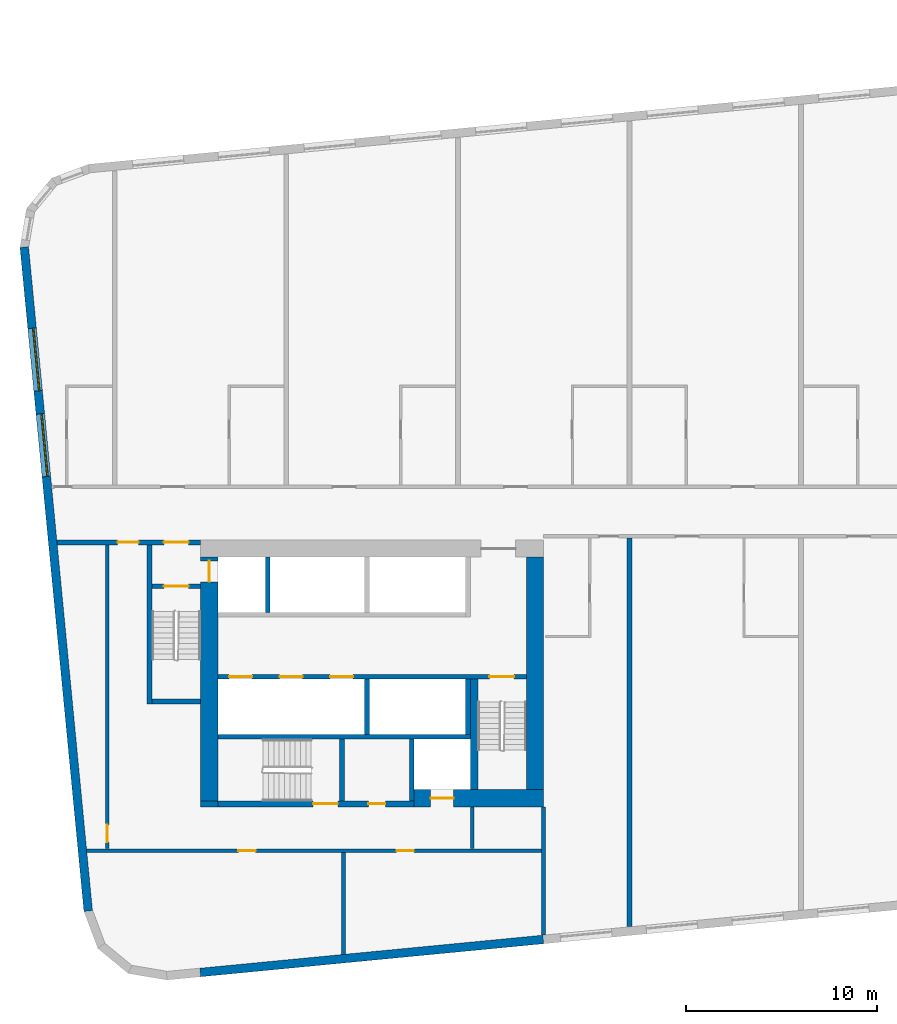
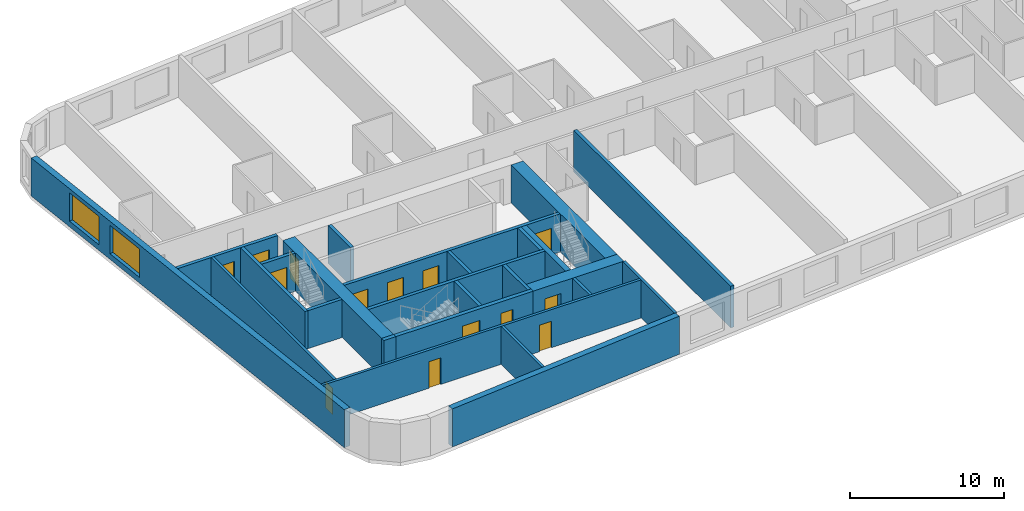
# One storey, part 2 of 12: 25 walls, 14 doors, 2 windows, 16 openings.
"""IFC4 building model written with IfcOpenShell, lengths in metres."""

from ifc_helpers import new_model, si_unit, direction, frame, frame_2d, origin, place, context, subcontext, project, spatial, rectangle, extrude, material, layer, layer_set, type_object, element, fill, save


model = new_model("IFC4")

# Units and contexts
model_context = context("Model", 3, precision=1e-05, world=origin(), true_north=direction((0.0, 1.0)))
body_context = subcontext(model_context, "Body", "Model", "MODEL_VIEW")
ifc_project = project(units=[si_unit("LENGTHUNIT", "METRE"), si_unit("AREAUNIT", "SQUARE_METRE"), si_unit("VOLUMEUNIT", "CUBIC_METRE"), si_unit("PLANEANGLEUNIT", "RADIAN"), si_unit("MASSUNIT", "GRAM", prefix="KILO")], contexts=[model_context])

# Site, building, storey
site_placement = place(None, origin())
site = spatial("IfcSite", under=ifc_project, at=site_placement, CompositionType="ELEMENT")
building_placement = place(site_placement, origin())
building = spatial("IfcBuilding", under=site, at=building_placement, Name="Kajstack Hotel Tower", CompositionType="ELEMENT")
storey_placement = place(building_placement, frame((0.0, 0.0, 143.800048828125)))
storey = spatial("IfcBuildingStorey", under=building, at=storey_placement, Name="L33", CompositionType="ELEMENT", Elevation=143.800048828125)

# Wall, opening, door
ifc_material_1 = material(Name="Concrete C60/75", Category="concrete")
ifc_layer_1 = layer(ifc_material_1, 0.89990234375)
ifc_layer_set_1 = layer_set([ifc_layer_1], Name="Core wall 900")
wall_type_1 = type_object("IfcWallType", Name="Core wall 900", PredefinedType="SHEAR", material=ifc_layer_set_1)
wall_1_placement = place(storey_placement, frame((-20.300048828125, -15.050048828125, 0.0), z_axis=(0.0, 0.0, 1.0), x_axis=(1.0, 0.0, 0.0)))
wall_1 = element("IfcWall", 1, at=wall_1_placement, inside=storey, type_object=wall_type_1, Name="Core wall W RS", PredefinedType="SHEAR", context=body_context, shape_type="SweptSolid", body=[
    extrude(rectangle(XDim=6.800048828125, YDim=0.89990234375, at=frame_2d((3.39990234375, 0.0))), origin(), (0.0, 0.0, 1.0), 3.02001953125),
])
opening_1_placement = place(wall_1_placement, frame((0.875, 0.0, 0.0)))
opening_1 = element("IfcOpeningElement", 2, at=opening_1_placement, cuts=wall_1, Name="Opening LD-SV1", PredefinedType="OPENING", context=body_context, shape_type="SweptSolid", body=[
    extrude(rectangle(XDim=1.199951171875, YDim=2.10009765625, at=frame_2d((0.60009765625, 1.050048828125))), frame((0.0, 0.4599609375, 0.0), z_axis=(0.0, -1.0, 0.0), x_axis=(1.0, 0.0, 0.0)), (0.0, 0.0, 1.0), 0.919921875),
])
ifc_material_2 = material(Name="Stainless steel", Category="steel")
door_type_1 = type_object("IfcDoorType", Name="Lift landing door 1200", OperationType="SLIDING_TO_LEFT", PredefinedType="DOOR", material=ifc_material_2)
door_1_placement = place(opening_1_placement, origin())
door_1 = element("IfcDoor", 3, at=door_1_placement, inside=storey, type_object=door_type_1, Name="Landing door SV1", OperationType="SLIDING_TO_LEFT", OverallHeight=2.10009765625, OverallWidth=1.199951171875, PredefinedType="DOOR", context=body_context, shape_type="SweptSolid", body=[
    extrude(rectangle(XDim=1.199951171875, YDim=2.10009765625, at=frame_2d((0.60009765625, 1.050048828125))), frame((0.0, 0.02490234375, 0.0), z_axis=(0.0, -1.0, 0.0), x_axis=(1.0, 0.0, 0.0)), (0.0, 0.0, 1.0), 0.050048828125),
])
fill(opening_1, door_1)

# Wall
wall_2_placement = place(storey_placement, frame((-31.5, -15.35009765625, 0.0), z_axis=(0.0, 0.0, 1.0), x_axis=(1.0, 0.0, 0.0)))
element("IfcWall", 4, at=wall_2_placement, inside=storey, type_object=wall_type_1, Name="Core wall W RSW", PredefinedType="SHEAR", context=body_context, shape_type="SweptSolid", body=[
    extrude(rectangle(XDim=0.89990234375, YDim=0.300048828125, at=frame_2d((0.449951171875, 0.0))), origin(), (0.0, 0.0, 1.0), 3.02001953125),
])

# Wall, opening, door
wall_3_placement = place(storey_placement, frame((-31.050048828125, -15.199951171875, 0.0), z_axis=(0.0, 0.0, 1.0), x_axis=(0.0, 1.0, 0.0)))
wall_3 = element("IfcWall", 5, at=wall_3_placement, inside=storey, type_object=wall_type_1, Name="Core wall W RW", PredefinedType="SHEAR", context=body_context, shape_type="SweptSolid", body=[
    extrude(rectangle(XDim=12.800048828125, YDim=0.89990234375, at=frame_2d((6.39990234375, 0.0))), origin(), (0.0, 0.0, 1.0), 3.02001953125),
])
opening_2_placement = place(wall_3_placement, frame((11.5, 0.0, 0.0)))
opening_2 = element("IfcOpeningElement", 6, at=opening_2_placement, cuts=wall_3, Name="Opening LD-FF1", PredefinedType="OPENING", context=body_context, shape_type="SweptSolid", body=[
    extrude(rectangle(XDim=1.10009765625, YDim=2.10009765625, at=frame_2d((0.550048828125, 1.050048828125))), frame((0.0, 0.4599609375, 0.0), z_axis=(0.0, -1.0, 0.0), x_axis=(1.0, 0.0, 0.0)), (0.0, 0.0, 1.0), 0.919921875),
])
door_type_2 = type_object("IfcDoorType", Name="Fire-fighting lift landing door 1100", OperationType="SLIDING_TO_LEFT", PredefinedType="DOOR", material=ifc_material_2)
door_2_placement = place(opening_2_placement, origin())
door_2 = element("IfcDoor", 7, at=door_2_placement, inside=storey, type_object=door_type_2, Name="Landing door FF1", OperationType="SLIDING_TO_RIGHT", OverallHeight=2.10009765625, OverallWidth=1.10009765625, PredefinedType="DOOR", context=body_context, shape_type="SweptSolid", body=[
    extrude(rectangle(XDim=1.10009765625, YDim=2.10009765625, at=frame_2d((0.550048828125, 1.050048828125))), frame((0.0, 0.02490234375, 0.0), z_axis=(0.0, -1.0, 0.0), x_axis=(1.0, 0.0, 0.0)), (0.0, 0.0, 1.0), 0.050048828125),
])
fill(opening_2, door_2)

# Walls
wall_4_placement = place(storey_placement, frame((-13.949951171875, -14.60009765625, 0.0), z_axis=(0.0, 0.0, 1.0), x_axis=(0.0, 1.0, 0.0)))
element("IfcWall", 8, at=wall_4_placement, inside=storey, type_object=wall_type_1, Name="Core wall W RE", PredefinedType="SHEAR", context=body_context, shape_type="SweptSolid", body=[
    extrude(rectangle(XDim=12.2001953125, YDim=0.89990234375, at=frame_2d((6.10009765625, 0.0))), origin(), (0.0, 0.0, 1.0), 3.02001953125),
])
ifc_material_3 = material(Name="Twin-frame gypsum board on steel studs, mineral wool", Category="steel")
ifc_layer_2 = layer(ifc_material_3, 0.199951171875)
ifc_layer_set_2 = layer_set([ifc_layer_2], Name="Demising wall 200")
wall_type_2 = type_object("IfcWallType", Name="Demising wall 200", PredefinedType="PARTITIONING", material=ifc_layer_set_2)
wall_5_placement = place(storey_placement, frame((-13.5, -22.23193359375, 0.0), z_axis=(0.0, 0.0, 1.0), x_axis=(0.0, 1.0, 0.0)))
element("IfcWall", 9, at=wall_5_placement, inside=storey, type_object=wall_type_2, Name="G-wall-L33-002", PredefinedType="PARTITIONING", context=body_context, shape_type="SweptSolid", body=[
    extrude(rectangle(XDim=6.73193359375, YDim=0.199951171875, at=frame_2d((3.365966796875, 0.0))), origin(), (0.0, 0.0, 1.0), 3.02001953125),
])
ifc_material_4 = material(Name="Concrete C40/50", Category="concrete")
ifc_layer_3 = layer(ifc_material_4, 0.449951171875)
ifc_layer_set_3 = layer_set([ifc_layer_3], Name="EW-CORE")
wall_type_3 = type_object("IfcWallType", Name="EW-CORE", PredefinedType="SOLIDWALL", material=ifc_layer_set_3)
wall_6_placement = place(storey_placement, frame((-31.521484375, -24.193603515625, 0.0), z_axis=(0.0, 0.0, 1.0), x_axis=(0.995396454615, 0.095843091245, 0.0)))
element("IfcWall", 10, at=wall_6_placement, inside=storey, type_object=wall_type_3, Name="E-wall-L33-04-01", PredefinedType="SOLIDWALL", context=body_context, shape_type="SweptSolid", body=[
    extrude(rectangle(XDim=18.083251953125, YDim=0.449951171875, at=frame_2d((9.04150390625, 0.0))), origin(), (0.0, 0.0, 1.0), 3.02001953125),
])

# Wall, openings, windows
ifc_material_5 = material(Name="Terracotta-faced brick masonry", Category="masonry")
ifc_layer_4 = layer(ifc_material_5, 0.449951171875)
ifc_layer_set_4 = layer_set([ifc_layer_4], Name="EW-TERRA")
wall_type_4 = type_object("IfcWallType", Name="EW-TERRA", PredefinedType="SOLIDWALL", material=ifc_layer_set_4)
wall_7_placement = place(storey_placement, frame((-40.7529296875, 13.87158203125, 0.0), z_axis=(0.0, 0.0, 1.0), x_axis=(0.095843327381, -0.995396431878, 0.0)))
wall_7 = element("IfcWall", 11, at=wall_7_placement, inside=storey, type_object=wall_type_4, Name="E-wall-L33-00-00", PredefinedType="SOLIDWALL", context=body_context, shape_type="SweptSolid", body=[
    extrude(rectangle(XDim=34.999755859375, YDim=0.449951171875, at=frame_2d((17.5, 0.0))), origin(), (0.0, 0.0, 1.0), 3.02001953125),
])
opening_3_placement = place(wall_7_placement, frame((4.27734375, 0.0, 0.449951171875)))
opening_3 = element("IfcOpeningElement", 12, at=opening_3_placement, cuts=wall_7, Name="Opening W2", PredefinedType="OPENING", context=body_context, shape_type="SweptSolid", body=[
    extrude(rectangle(XDim=3.300048828125, YDim=2.25, at=frame_2d((1.64990234375, 1.125))), frame((0.0, 0.23486328125, 0.0), z_axis=(0.0, -1.0, 0.0), x_axis=(1.0, 0.0, 0.0)), (0.0, 0.0, 1.0), 0.469970703125),
])
opening_4_placement = place(wall_7_placement, frame((8.798095703125, 0.0, 0.449951171875)))
opening_4 = element("IfcOpeningElement", 13, at=opening_4_placement, cuts=wall_7, Name="Opening W2", PredefinedType="OPENING", context=body_context, shape_type="SweptSolid", body=[
    extrude(rectangle(XDim=3.300048828125, YDim=2.25, at=frame_2d((1.64990234375, 1.125))), frame((0.0, 0.23486328125, 0.0), z_axis=(0.0, -1.0, 0.0), x_axis=(1.0, 0.0, 0.0)), (0.0, 0.0, 1.0), 0.469970703125),
])
ifc_material_6 = material(Name="Timber-aluminium window, triple glazed", Category="wood")
window_type = type_object("IfcWindowType", Name="WG2", PartitioningType="SINGLE_PANEL", PredefinedType="WINDOW", material=ifc_material_6)
window_1_placement = place(opening_3_placement, origin())
window_1 = element("IfcWindow", 14, at=window_1_placement, inside=storey, type_object=window_type, Name="Window W2 L33-00", OverallHeight=2.25, OverallWidth=3.300048828125, PartitioningType="SINGLE_PANEL", PredefinedType="WINDOW", context=body_context, shape_type="SweptSolid", body=[
    extrude(rectangle(XDim=3.300048828125, YDim=2.25, at=frame_2d((1.64990234375, 1.125))), frame((0.0, 0.090087890625, 0.0), z_axis=(0.0, -1.0, 0.0), x_axis=(1.0, 0.0, 0.0)), (0.0, 0.0, 1.0), 0.06005859375),
])
fill(opening_3, window_1)
window_2_placement = place(opening_4_placement, origin())
window_2 = element("IfcWindow", 15, at=window_2_placement, inside=storey, type_object=window_type, Name="Window W2 L33-00", OverallHeight=2.25, OverallWidth=3.300048828125, PartitioningType="SINGLE_PANEL", PredefinedType="WINDOW", context=body_context, shape_type="SweptSolid", body=[
    extrude(rectangle(XDim=3.300048828125, YDim=2.25, at=frame_2d((1.64990234375, 1.125))), frame((0.0, 0.090087890625, 0.0), z_axis=(0.0, -1.0, 0.0), x_axis=(1.0, 0.0, 0.0)), (0.0, 0.0, 1.0), 0.06005859375),
])
fill(opening_4, window_2)

# Walls
ifc_material_7 = material(Name="Concrete C50/60", Category="concrete")
ifc_layer_5 = layer(ifc_material_7, 0.300048828125)
ifc_layer_set_5 = layer_set([ifc_layer_5], Name="Hoistway divider wall 300")
wall_type_5 = type_object("IfcWallType", Name="Hoistway divider wall 300", PredefinedType="SHEAR", material=ifc_layer_set_5)
wall_8_placement = place(storey_placement, frame((-22.77490234375, -11.699951171875, 0.0), z_axis=(0.0, 0.0, 1.0), x_axis=(0.0, 1.0, 0.0)))
element("IfcWall", 16, at=wall_8_placement, inside=storey, type_object=wall_type_5, Name="Core wall W BP2", PredefinedType="SHEAR", context=body_context, shape_type="SweptSolid", body=[
    extrude(rectangle(XDim=2.89990234375, YDim=0.25, at=frame_2d((1.449951171875, 0.0))), origin(), (0.0, 0.0, 1.0), 3.02001953125),
])
ifc_material_8 = material(Name="Concrete C55/67", Category="concrete")
ifc_layer_6 = layer(ifc_material_8, 0.25)
ifc_layer_set_6 = layer_set([ifc_layer_6], Name="RC cross wall 250 C55/67")
wall_type_6 = type_object("IfcWallType", Name="RC cross wall 250 C55/67", PredefinedType="SHEAR", material=ifc_layer_set_6)
wall_9_placement = place(storey_placement, frame((-9.0, -21.777099609375, 0.0), z_axis=(0.0, 0.0, 1.0), x_axis=(0.0, 1.0, 0.0)))
element("IfcWall", 17, at=wall_9_placement, inside=storey, type_object=wall_type_6, Name="S-wall-L33-04", PredefinedType="SHEAR", context=body_context, shape_type="SweptSolid", body=[
    extrude(rectangle(XDim=20.377197265625, YDim=0.25, at=frame_2d((10.1884765625, 0.0))), origin(), (0.0, 0.0, 1.0), 3.300048828125),
])

# Wall, openings, doors
ifc_material_9 = material(Name="Gypsum board on steel studs, mineral wool", Category="steel")
ifc_layer_7 = layer(ifc_material_9, 0.199951171875)
ifc_layer_set_7 = layer_set([ifc_layer_7], Name="Service partition 200")
wall_type_7 = type_object("IfcWallType", Name="Service partition 200", PredefinedType="PARTITIONING", material=ifc_layer_set_7)
wall_10_placement = place(storey_placement, frame((-39.034912109375, -1.625, 0.0), z_axis=(0.0, 0.0, 1.0), x_axis=(1.0, 0.0, 0.0)))
wall_10 = element("IfcWall", 18, at=wall_10_placement, inside=storey, type_object=wall_type_7, Name="Partition W SN", PredefinedType="PARTITIONING", context=body_context, shape_type="SweptSolid", body=[
    extrude(rectangle(XDim=7.534912109375, YDim=0.25, at=frame_2d((3.767578125, 0.0))), origin(), (0.0, 0.0, 1.0), 3.02001953125),
])
opening_5_placement = place(wall_10_placement, frame((5.60986328125, 0.0, 0.0)))
opening_5 = element("IfcOpeningElement", 19, at=opening_5_placement, cuts=wall_10, Name="Opening 33W07", PredefinedType="OPENING", context=body_context, shape_type="SweptSolid", body=[
    extrude(rectangle(XDim=1.300048828125, YDim=2.10009765625, at=frame_2d((0.64990234375, 1.050048828125))), frame((0.0, 0.135009765625, 0.0), z_axis=(0.0, -1.0, 0.0), x_axis=(1.0, 0.0, 0.0)), (0.0, 0.0, 1.0), 0.27001953125),
])
opening_6_placement = place(wall_10_placement, frame((3.184814453125, 0.0, 0.0)))
opening_6 = element("IfcOpeningElement", 20, at=opening_6_placement, cuts=wall_10, Name="Opening 33W09", PredefinedType="OPENING", context=body_context, shape_type="SweptSolid", body=[
    extrude(rectangle(XDim=1.10009765625, YDim=2.10009765625, at=frame_2d((0.550048828125, 1.050048828125))), frame((0.0, 0.135009765625, 0.0), z_axis=(0.0, -1.0, 0.0), x_axis=(1.0, 0.0, 0.0)), (0.0, 0.0, 1.0), 0.27001953125),
])
ifc_material_10 = material(Name="Steel leaf, fire-rated", Category="steel")
door_type_3 = type_object("IfcDoorType", Name="Fire lobby door 1300", OperationType="SINGLE_SWING_LEFT", PredefinedType="DOOR", material=ifc_material_10)
door_3_placement = place(opening_5_placement, origin())
door_3 = element("IfcDoor", 21, at=door_3_placement, inside=storey, type_object=door_type_3, Name="Door 33W07", OperationType="SINGLE_SWING_RIGHT", OverallHeight=2.10009765625, OverallWidth=1.300048828125, PredefinedType="DOOR", context=body_context, shape_type="SweptSolid", body=[
    extrude(rectangle(XDim=1.300048828125, YDim=2.10009765625, at=frame_2d((0.64990234375, 1.050048828125))), frame((0.0, 0.02490234375, 0.0), z_axis=(0.0, -1.0, 0.0), x_axis=(1.0, 0.0, 0.0)), (0.0, 0.0, 1.0), 0.050048828125),
])
fill(opening_5, door_3)
ifc_material_11 = material(Name="Timber leaf, fire-rated", Category="wood")
door_type_4 = type_object("IfcDoorType", Name="Service corridor door 1100", OperationType="SINGLE_SWING_LEFT", PredefinedType="DOOR", material=ifc_material_11)
door_4_placement = place(opening_6_placement, origin())
door_4 = element("IfcDoor", 22, at=door_4_placement, inside=storey, type_object=door_type_4, Name="Door 33W09", OperationType="SINGLE_SWING_RIGHT", OverallHeight=2.10009765625, OverallWidth=1.10009765625, PredefinedType="DOOR", context=body_context, shape_type="SweptSolid", body=[
    extrude(rectangle(XDim=1.10009765625, YDim=2.10009765625, at=frame_2d((0.550048828125, 1.050048828125))), frame((0.0, 0.02490234375, 0.0), z_axis=(0.0, -1.0, 0.0), x_axis=(1.0, 0.0, 0.0)), (0.0, 0.0, 1.0), 0.050048828125),
])
fill(opening_6, door_4)

# Wall
wall_11_placement = place(storey_placement, frame((-17.25, -17.699951171875, 0.0), z_axis=(0.0, 0.0, 1.0), x_axis=(0.0, 1.0, 0.0)))
element("IfcWall", 23, at=wall_11_placement, inside=storey, type_object=wall_type_7, Name="Partition W SCE", PredefinedType="PARTITIONING", context=body_context, shape_type="SweptSolid", body=[
    extrude(rectangle(XDim=2.199951171875, YDim=0.199951171875, at=frame_2d((1.10009765625, 0.0))), origin(), (0.0, 0.0, 1.0), 3.02001953125),
])

# Wall, opening, door
wall_12_placement = place(storey_placement, frame((-36.39990234375, -17.699951171875, 0.0), z_axis=(0.0, 0.0, 1.0), x_axis=(0.0, 1.0, 0.0)))
wall_12 = element("IfcWall", 24, at=wall_12_placement, inside=storey, type_object=wall_type_7, Name="Partition W WRE", PredefinedType="PARTITIONING", context=body_context, shape_type="SweptSolid", body=[
    extrude(rectangle(XDim=15.949951171875, YDim=0.199951171875, at=frame_2d((7.97509765625, 0.0))), origin(), (0.0, 0.0, 1.0), 3.02001953125),
])
opening_7_placement = place(wall_12_placement, frame((0.35009765625, 0.0, 0.0)))
opening_7 = element("IfcOpeningElement", 25, at=opening_7_placement, cuts=wall_12, Name="Opening 33W15", PredefinedType="OPENING", context=body_context, shape_type="SweptSolid", body=[
    extrude(rectangle(XDim=0.89990234375, YDim=2.10009765625, at=frame_2d((0.449951171875, 1.050048828125))), frame((0.0, 0.10986328125, 0.0), z_axis=(0.0, -1.0, 0.0), x_axis=(1.0, 0.0, 0.0)), (0.0, 0.0, 1.0), 0.219970703125),
])
door_type_5 = type_object("IfcDoorType", Name="Service door 900", OperationType="SINGLE_SWING_LEFT", PredefinedType="DOOR", material=ifc_material_11)
door_5_placement = place(opening_7_placement, origin())
door_5 = element("IfcDoor", 26, at=door_5_placement, inside=storey, type_object=door_type_5, Name="Door 33W15", OperationType="SINGLE_SWING_LEFT", OverallHeight=2.10009765625, OverallWidth=0.89990234375, PredefinedType="DOOR", context=body_context, shape_type="SweptSolid", body=[
    extrude(rectangle(XDim=0.89990234375, YDim=2.10009765625, at=frame_2d((0.449951171875, 1.050048828125))), frame((0.0, 0.02490234375, 0.0), z_axis=(0.0, -1.0, 0.0), x_axis=(1.0, 0.0, 0.0)), (0.0, 0.0, 1.0), 0.050048828125),
])
fill(opening_7, door_5)

# Wall, openings, doors
wall_13_placement = place(storey_placement, frame((-37.477294921875, -17.800048828125, 0.0), z_axis=(0.0, 0.0, 1.0), x_axis=(1.0, 0.0, 0.0)))
wall_13 = element("IfcWall", 27, at=wall_13_placement, inside=storey, type_object=wall_type_7, Name="Partition W SLN", PredefinedType="PARTITIONING", context=body_context, shape_type="SweptSolid", body=[
    extrude(rectangle(XDim=23.877197265625, YDim=0.199951171875, at=frame_2d((11.9384765625, 0.0))), origin(), (0.0, 0.0, 1.0), 3.02001953125),
])
opening_8_placement = place(wall_13_placement, frame((7.96484375, 0.0, 0.0)))
opening_8 = element("IfcOpeningElement", 28, at=opening_8_placement, cuts=wall_13, Name="Opening 33W13", PredefinedType="OPENING", context=body_context, shape_type="SweptSolid", body=[
    extrude(rectangle(XDim=0.89990234375, YDim=2.10009765625, at=frame_2d((0.449951171875, 1.050048828125))), frame((0.0, 0.10986328125, 0.0), z_axis=(0.0, -1.0, 0.0), x_axis=(1.0, 0.0, 0.0)), (0.0, 0.0, 1.0), 0.219970703125),
])
opening_9_placement = place(wall_13_placement, frame((16.264892578125, 0.0, 0.0)))
opening_9 = element("IfcOpeningElement", 29, at=opening_9_placement, cuts=wall_13, Name="Opening 33W14", PredefinedType="OPENING", context=body_context, shape_type="SweptSolid", body=[
    extrude(rectangle(XDim=0.89990234375, YDim=2.10009765625, at=frame_2d((0.449951171875, 1.050048828125))), frame((0.0, 0.10986328125, 0.0), z_axis=(0.0, -1.0, 0.0), x_axis=(1.0, 0.0, 0.0)), (0.0, 0.0, 1.0), 0.219970703125),
])
door_6_placement = place(opening_8_placement, origin())
door_6 = element("IfcDoor", 30, at=door_6_placement, inside=storey, type_object=door_type_5, Name="Door 33W13", OperationType="SINGLE_SWING_RIGHT", OverallHeight=2.10009765625, OverallWidth=0.89990234375, PredefinedType="DOOR", context=body_context, shape_type="SweptSolid", body=[
    extrude(rectangle(XDim=0.89990234375, YDim=2.10009765625, at=frame_2d((0.449951171875, 1.050048828125))), frame((0.0, 0.02490234375, 0.0), z_axis=(0.0, -1.0, 0.0), x_axis=(1.0, 0.0, 0.0)), (0.0, 0.0, 1.0), 0.050048828125),
])
fill(opening_8, door_6)
door_7_placement = place(opening_9_placement, origin())
door_7 = element("IfcDoor", 31, at=door_7_placement, inside=storey, type_object=door_type_5, Name="Door 33W14", OperationType="SINGLE_SWING_RIGHT", OverallHeight=2.10009765625, OverallWidth=0.89990234375, PredefinedType="DOOR", context=body_context, shape_type="SweptSolid", body=[
    extrude(rectangle(XDim=0.89990234375, YDim=2.10009765625, at=frame_2d((0.449951171875, 1.050048828125))), frame((0.0, 0.02490234375, 0.0), z_axis=(0.0, -1.0, 0.0), x_axis=(1.0, 0.0, 0.0)), (0.0, 0.0, 1.0), 0.050048828125),
])
fill(opening_9, door_7)

# Wall
wall_14_placement = place(storey_placement, frame((-24.0, -23.244384765625, 0.0), z_axis=(0.0, 0.0, 1.0), x_axis=(0.0, 1.0, 0.0)))
element("IfcWall", 32, at=wall_14_placement, inside=storey, type_object=wall_type_7, Name="Partition W SLP0", PredefinedType="PARTITIONING", context=body_context, shape_type="SweptSolid", body=[
    extrude(rectangle(XDim=5.344482421875, YDim=0.199951171875, at=frame_2d((2.67236328125, 0.0))), origin(), (0.0, 0.0, 1.0), 3.02001953125),
])

# Wall, openings, doors
ifc_layer_8 = layer(ifc_material_7, 0.25)
ifc_layer_set_8 = layer_set([ifc_layer_8], Name="Shaft wall 250")
wall_type_8 = type_object("IfcWallType", Name="Shaft wall 250", PredefinedType="SHEAR", material=ifc_layer_set_8)
wall_15_placement = place(storey_placement, frame((-30.60009765625, -15.35009765625, 0.0), z_axis=(0.0, 0.0, 1.0), x_axis=(1.0, 0.0, 0.0)))
wall_15 = element("IfcWall", 33, at=wall_15_placement, inside=storey, type_object=wall_type_8, Name="Core wall W RSS", PredefinedType="SHEAR", context=body_context, shape_type="SweptSolid", body=[
    extrude(rectangle(XDim=10.300048828125, YDim=0.300048828125, at=frame_2d((5.14990234375, 0.0))), origin(), (0.0, 0.0, 1.0), 3.02001953125),
])
opening_10_placement = place(wall_15_placement, frame((5.0, 0.0, 0.0)))
opening_10 = element("IfcOpeningElement", 34, at=opening_10_placement, cuts=wall_15, Name="Opening 33W11", PredefinedType="OPENING", context=body_context, shape_type="SweptSolid", body=[
    extrude(rectangle(XDim=1.300048828125, YDim=2.10009765625, at=frame_2d((0.64990234375, 1.050048828125))), frame((0.0, 0.159912109375, 0.0), z_axis=(0.0, -1.0, 0.0), x_axis=(1.0, 0.0, 0.0)), (0.0, 0.0, 1.0), 0.320068359375),
])
opening_11_placement = place(wall_15_placement, frame((7.89990234375, 0.0, 0.0)))
opening_11 = element("IfcOpeningElement", 35, at=opening_11_placement, cuts=wall_15, Name="Opening 33W12", PredefinedType="OPENING", context=body_context, shape_type="SweptSolid", body=[
    extrude(rectangle(XDim=0.89990234375, YDim=2.10009765625, at=frame_2d((0.449951171875, 1.050048828125))), frame((0.0, 0.159912109375, 0.0), z_axis=(0.0, -1.0, 0.0), x_axis=(1.0, 0.0, 0.0)), (0.0, 0.0, 1.0), 0.320068359375),
])
door_8_placement = place(opening_11_placement, origin())
door_8 = element("IfcDoor", 36, at=door_8_placement, inside=storey, type_object=door_type_5, Name="Door 33W12", OperationType="SINGLE_SWING_LEFT", OverallHeight=2.10009765625, OverallWidth=0.89990234375, PredefinedType="DOOR", context=body_context, shape_type="SweptSolid", body=[
    extrude(rectangle(XDim=0.89990234375, YDim=2.10009765625, at=frame_2d((0.449951171875, 1.050048828125))), frame((0.0, 0.02490234375, 0.0), z_axis=(0.0, -1.0, 0.0), x_axis=(1.0, 0.0, 0.0)), (0.0, 0.0, 1.0), 0.050048828125),
])
fill(opening_11, door_8)
door_type_6 = type_object("IfcDoorType", Name="Stair door 1300", OperationType="SINGLE_SWING_LEFT", PredefinedType="DOOR", material=ifc_material_10)
door_9_placement = place(opening_10_placement, origin())
door_9 = element("IfcDoor", 37, at=door_9_placement, inside=storey, type_object=door_type_6, Name="Door 33W11", OperationType="SINGLE_SWING_RIGHT", OverallHeight=2.10009765625, OverallWidth=1.300048828125, PredefinedType="DOOR", context=body_context, shape_type="SweptSolid", body=[
    extrude(rectangle(XDim=1.300048828125, YDim=2.10009765625, at=frame_2d((0.64990234375, 1.050048828125))), frame((0.0, 0.02490234375, 0.0), z_axis=(0.0, -1.0, 0.0), x_axis=(1.0, 0.0, 0.0)), (0.0, 0.0, 1.0), 0.050048828125),
])
fill(opening_10, door_9)

# Wall
wall_16_placement = place(storey_placement, frame((-27.97509765625, -5.300048828125, 0.0), z_axis=(0.0, 0.0, 1.0), x_axis=(0.0, 1.0, 0.0)))
element("IfcWall", 38, at=wall_16_placement, inside=storey, type_object=wall_type_8, Name="Core wall W AP0", PredefinedType="SHEAR", context=body_context, shape_type="SweptSolid", body=[
    extrude(rectangle(XDim=2.900146484375, YDim=0.25, at=frame_2d((1.4501953125, 0.0))), origin(), (0.0, 0.0, 1.0), 3.02001953125),
])

# Wall, openings, doors
wall_17_placement = place(storey_placement, frame((-30.60009765625, -8.675048828125, 0.0), z_axis=(0.0, 0.0, 1.0), x_axis=(1.0, 0.0, 0.0)))
wall_17 = element("IfcWall", 39, at=wall_17_placement, inside=storey, type_object=wall_type_8, Name="Core wall W FB", PredefinedType="SHEAR", context=body_context, shape_type="SweptSolid", body=[
    extrude(rectangle(XDim=16.2001953125, YDim=0.25, at=frame_2d((8.10009765625, 0.0))), origin(), (0.0, 0.0, 1.0), 3.02001953125),
])
opening_12_placement = place(wall_17_placement, frame((0.60009765625, 0.0, 0.0)))
opening_12 = element("IfcOpeningElement", 40, at=opening_12_placement, cuts=wall_17, Name="Opening LD-LR1", PredefinedType="OPENING", context=body_context, shape_type="SweptSolid", body=[
    extrude(rectangle(XDim=1.199951171875, YDim=2.10009765625, at=frame_2d((0.60009765625, 1.050048828125))), frame((0.0, 0.135009765625, 0.0), z_axis=(0.0, -1.0, 0.0), x_axis=(1.0, 0.0, 0.0)), (0.0, 0.0, 1.0), 0.27001953125),
])
opening_13_placement = place(wall_17_placement, frame((3.25, 0.0, 0.0)))
opening_13 = element("IfcOpeningElement", 41, at=opening_13_placement, cuts=wall_17, Name="Opening LD-LR2", PredefinedType="OPENING", context=body_context, shape_type="SweptSolid", body=[
    extrude(rectangle(XDim=1.199951171875, YDim=2.10009765625, at=frame_2d((0.60009765625, 1.050048828125))), frame((0.0, 0.135009765625, 0.0), z_axis=(0.0, -1.0, 0.0), x_axis=(1.0, 0.0, 0.0)), (0.0, 0.0, 1.0), 0.27001953125),
])
opening_14_placement = place(wall_17_placement, frame((5.89990234375, 0.0, 0.0)))
opening_14 = element("IfcOpeningElement", 42, at=opening_14_placement, cuts=wall_17, Name="Opening LD-LR3", PredefinedType="OPENING", context=body_context, shape_type="SweptSolid", body=[
    extrude(rectangle(XDim=1.199951171875, YDim=2.10009765625, at=frame_2d((0.60009765625, 1.050048828125))), frame((0.0, 0.135009765625, 0.0), z_axis=(0.0, -1.0, 0.0), x_axis=(1.0, 0.0, 0.0)), (0.0, 0.0, 1.0), 0.27001953125),
])
opening_15_placement = place(wall_17_placement, frame((14.25, 0.0, 0.0)))
opening_15 = element("IfcOpeningElement", 43, at=opening_15_placement, cuts=wall_17, Name="Opening 33W10", PredefinedType="OPENING", context=body_context, shape_type="SweptSolid", body=[
    extrude(rectangle(XDim=1.300048828125, YDim=2.10009765625, at=frame_2d((0.64990234375, 1.050048828125))), frame((0.0, 0.135009765625, 0.0), z_axis=(0.0, -1.0, 0.0), x_axis=(1.0, 0.0, 0.0)), (0.0, 0.0, 1.0), 0.27001953125),
])
door_10_placement = place(opening_12_placement, origin())
door_10 = element("IfcDoor", 44, at=door_10_placement, inside=storey, type_object=door_type_1, Name="Landing door LR1", OperationType="SLIDING_TO_LEFT", OverallHeight=2.10009765625, OverallWidth=1.199951171875, PredefinedType="DOOR", context=body_context, shape_type="SweptSolid", body=[
    extrude(rectangle(XDim=1.199951171875, YDim=2.10009765625, at=frame_2d((0.60009765625, 1.050048828125))), frame((0.0, 0.02490234375, 0.0), z_axis=(0.0, -1.0, 0.0), x_axis=(1.0, 0.0, 0.0)), (0.0, 0.0, 1.0), 0.050048828125),
])
fill(opening_12, door_10)
door_11_placement = place(opening_13_placement, origin())
door_11 = element("IfcDoor", 45, at=door_11_placement, inside=storey, type_object=door_type_1, Name="Landing door LR2", OperationType="SLIDING_TO_RIGHT", OverallHeight=2.10009765625, OverallWidth=1.199951171875, PredefinedType="DOOR", context=body_context, shape_type="SweptSolid", body=[
    extrude(rectangle(XDim=1.199951171875, YDim=2.10009765625, at=frame_2d((0.60009765625, 1.050048828125))), frame((0.0, 0.02490234375, 0.0), z_axis=(0.0, -1.0, 0.0), x_axis=(1.0, 0.0, 0.0)), (0.0, 0.0, 1.0), 0.050048828125),
])
fill(opening_13, door_11)
door_12_placement = place(opening_14_placement, origin())
door_12 = element("IfcDoor", 46, at=door_12_placement, inside=storey, type_object=door_type_1, Name="Landing door LR3", OperationType="SLIDING_TO_RIGHT", OverallHeight=2.10009765625, OverallWidth=1.199951171875, PredefinedType="DOOR", context=body_context, shape_type="SweptSolid", body=[
    extrude(rectangle(XDim=1.199951171875, YDim=2.10009765625, at=frame_2d((0.60009765625, 1.050048828125))), frame((0.0, 0.02490234375, 0.0), z_axis=(0.0, -1.0, 0.0), x_axis=(1.0, 0.0, 0.0)), (0.0, 0.0, 1.0), 0.050048828125),
])
fill(opening_14, door_12)
door_13_placement = place(opening_15_placement, origin())
door_13 = element("IfcDoor", 47, at=door_13_placement, inside=storey, type_object=door_type_6, Name="Door 33W10", OperationType="SINGLE_SWING_RIGHT", OverallHeight=2.10009765625, OverallWidth=1.300048828125, PredefinedType="DOOR", context=body_context, shape_type="SweptSolid", body=[
    extrude(rectangle(XDim=1.300048828125, YDim=2.10009765625, at=frame_2d((0.64990234375, 1.050048828125))), frame((0.0, 0.02490234375, 0.0), z_axis=(0.0, -1.0, 0.0), x_axis=(1.0, 0.0, 0.0)), (0.0, 0.0, 1.0), 0.050048828125),
])
fill(opening_15, door_13)

# Walls
wall_18_placement = place(storey_placement, frame((-30.60009765625, -11.824951171875, 0.0), z_axis=(0.0, 0.0, 1.0), x_axis=(1.0, 0.0, 0.0)))
element("IfcWall", 48, at=wall_18_placement, inside=storey, type_object=wall_type_8, Name="Core wall W RB", PredefinedType="SHEAR", context=body_context, shape_type="SweptSolid", body=[
    extrude(rectangle(XDim=13.25, YDim=0.25, at=frame_2d((6.625, 0.0))), origin(), (0.0, 0.0, 1.0), 3.02001953125),
])
wall_19_placement = place(storey_placement, frame((-17.47509765625, -11.699951171875, 0.0), z_axis=(0.0, 0.0, 1.0), x_axis=(0.0, 1.0, 0.0)))
element("IfcWall", 49, at=wall_19_placement, inside=storey, type_object=wall_type_8, Name="Core wall W BE", PredefinedType="SHEAR", context=body_context, shape_type="SweptSolid", body=[
    extrude(rectangle(XDim=2.89990234375, YDim=0.25, at=frame_2d((1.449951171875, 0.0))), origin(), (0.0, 0.0, 1.0), 3.02001953125),
])
wall_20_placement = place(storey_placement, frame((-20.425048828125, -15.199951171875, 0.0), z_axis=(0.0, 0.0, 1.0), x_axis=(0.0, 1.0, 0.0)))
element("IfcWall", 50, at=wall_20_placement, inside=storey, type_object=wall_type_8, Name="Core wall W SVW", PredefinedType="SHEAR", context=body_context, shape_type="SweptSolid", body=[
    extrude(rectangle(XDim=3.25, YDim=0.25, at=frame_2d((1.625, 0.0))), origin(), (0.0, 0.0, 1.0), 3.02001953125),
])

# Wall, opening, door
ifc_layer_9 = layer(ifc_material_4, 0.25)
ifc_layer_set_9 = layer_set([ifc_layer_9], Name="Stair enclosure wall 250")
wall_type_9 = type_object("IfcWallType", Name="Stair enclosure wall 250", PredefinedType="SHEAR", material=ifc_layer_set_9)
wall_21_placement = place(storey_placement, frame((-34.050048828125, -3.925048828125, 0.0), z_axis=(0.0, 0.0, 1.0), x_axis=(1.0, 0.0, 0.0)))
wall_21 = element("IfcWall", 51, at=wall_21_placement, inside=storey, type_object=wall_type_9, Name="Core wall W W1N", PredefinedType="SHEAR", context=body_context, shape_type="SweptSolid", body=[
    extrude(rectangle(XDim=2.550048828125, YDim=0.25, at=frame_2d((1.27490234375, 0.0))), origin(), (0.0, 0.0, 1.0), 3.02001953125),
])
opening_16_placement = place(wall_21_placement, frame((0.625, 0.0, 0.0)))
opening_16 = element("IfcOpeningElement", 52, at=opening_16_placement, cuts=wall_21, Name="Opening 33W08", PredefinedType="OPENING", context=body_context, shape_type="SweptSolid", body=[
    extrude(rectangle(XDim=1.300048828125, YDim=2.10009765625, at=frame_2d((0.64990234375, 1.050048828125))), frame((0.0, 0.135009765625, 0.0), z_axis=(0.0, -1.0, 0.0), x_axis=(1.0, 0.0, 0.0)), (0.0, 0.0, 1.0), 0.27001953125),
])
door_14_placement = place(opening_16_placement, origin())
door_14 = element("IfcDoor", 53, at=door_14_placement, inside=storey, type_object=door_type_6, Name="Door 33W08", OperationType="SINGLE_SWING_RIGHT", OverallHeight=2.10009765625, OverallWidth=1.300048828125, PredefinedType="DOOR", context=body_context, shape_type="SweptSolid", body=[
    extrude(rectangle(XDim=1.300048828125, YDim=2.10009765625, at=frame_2d((0.64990234375, 1.050048828125))), frame((0.0, 0.02490234375, 0.0), z_axis=(0.0, -1.0, 0.0), x_axis=(1.0, 0.0, 0.0)), (0.0, 0.0, 1.0), 0.050048828125),
])
fill(opening_16, door_14)

# Walls
wall_22_placement = place(storey_placement, frame((-34.175048828125, -10.10009765625, 0.0), z_axis=(0.0, 0.0, 1.0), x_axis=(0.0, 1.0, 0.0)))
element("IfcWall", 54, at=wall_22_placement, inside=storey, type_object=wall_type_9, Name="Core wall W W1W", PredefinedType="SHEAR", context=body_context, shape_type="SweptSolid", body=[
    extrude(rectangle(XDim=8.35009765625, YDim=0.25, at=frame_2d((4.175048828125, 0.0))), origin(), (0.0, 0.0, 1.0), 3.02001953125),
])
wall_23_placement = place(storey_placement, frame((-34.050048828125, -9.97509765625, 0.0), z_axis=(0.0, 0.0, 1.0), x_axis=(1.0, 0.0, 0.0)))
element("IfcWall", 55, at=wall_23_placement, inside=storey, type_object=wall_type_9, Name="Core wall W W1S", PredefinedType="SHEAR", context=body_context, shape_type="SweptSolid", body=[
    extrude(rectangle(XDim=2.550048828125, YDim=0.25, at=frame_2d((1.27490234375, 0.0))), origin(), (0.0, 0.0, 1.0), 3.02001953125),
])
ifc_layer_10 = layer(ifc_material_7, 0.35009765625)
ifc_layer_set_10 = layer_set([ifc_layer_10], Name="Stair enclosure wall 350")
wall_type_10 = type_object("IfcWallType", Name="Stair enclosure wall 350", PredefinedType="SHEAR", material=ifc_layer_set_10)
wall_24_placement = place(storey_placement, frame((-24.074951171875, -15.199951171875, 0.0), z_axis=(0.0, 0.0, 1.0), x_axis=(0.0, 1.0, 0.0)))
element("IfcWall", 56, at=wall_24_placement, inside=storey, type_object=wall_type_10, Name="Core wall W W3E", PredefinedType="SHEAR", context=body_context, shape_type="SweptSolid", body=[
    extrude(rectangle(XDim=3.25, YDim=0.25, at=frame_2d((1.625, 0.0))), origin(), (0.0, 0.0, 1.0), 3.02001953125),
])
ifc_layer_11 = layer(ifc_material_7, 0.39990234375)
ifc_layer_set_11 = layer_set([ifc_layer_11], Name="Stair wall 400")
wall_type_11 = type_object("IfcWallType", Name="Stair wall 400", PredefinedType="SHEAR", material=ifc_layer_set_11)
wall_25_placement = place(storey_placement, frame((-17.14990234375, -14.60009765625, 0.0), z_axis=(0.0, 0.0, 1.0), x_axis=(0.0, 1.0, 0.0)))
element("IfcWall", 57, at=wall_25_placement, inside=storey, type_object=wall_type_11, Name="Core wall W WW2", PredefinedType="SHEAR", context=body_context, shape_type="SweptSolid", body=[
    extrude(rectangle(XDim=5.800048828125, YDim=0.39990234375, at=frame_2d((2.89990234375, 0.0))), origin(), (0.0, 0.0, 1.0), 3.02001953125),
])

save(model, "model.ifc")
